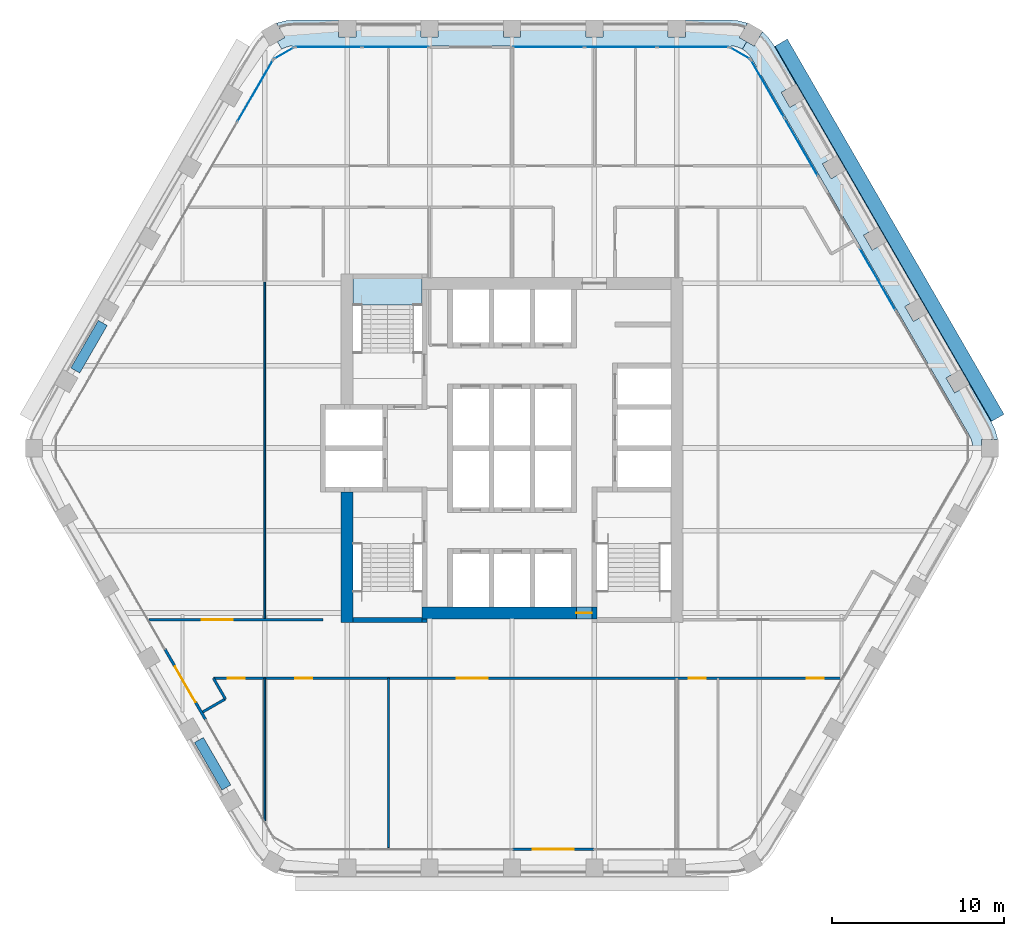
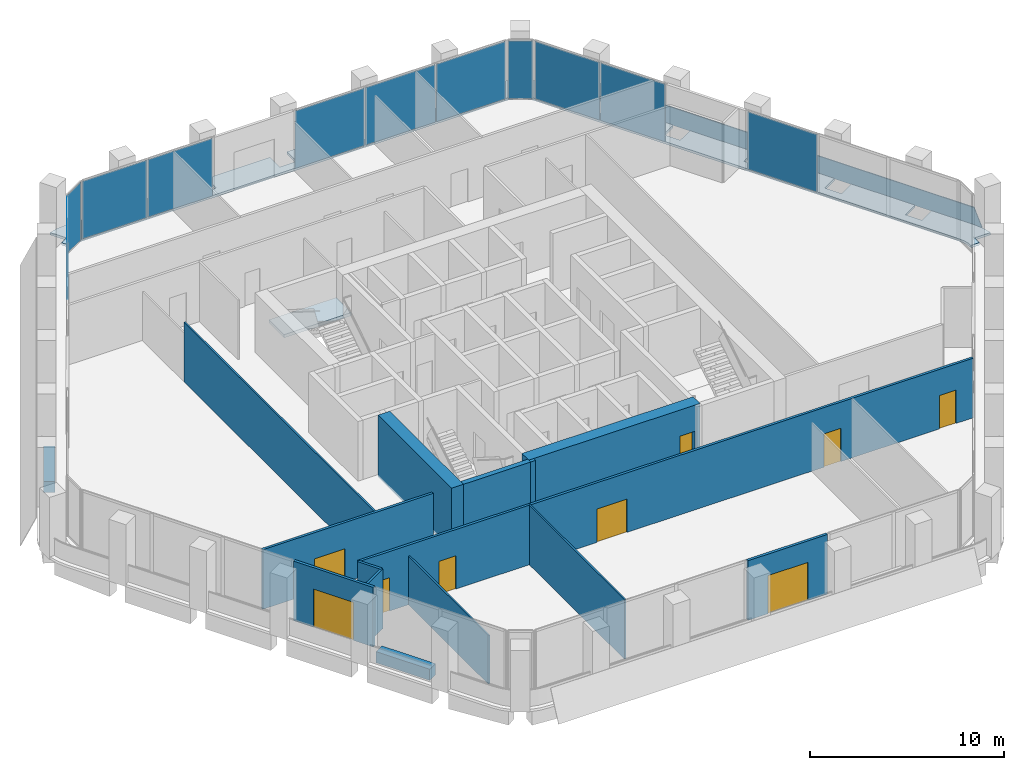
# One storey, part 8 of 15: 15 walls, 12 plates, 9 doors, 3 slabs, 9 openings, 8 elements without a shape of their own.
"""IFC4 building model written with IfcOpenShell, lengths in metres."""

from ifc_helpers import new_model, si_unit, direction, frame, frame_2d, origin, origin_2d, place, context, subcontext, project, spatial, polyline, rectangle, outline, extrude, material, layer, layer_set, type_object, element, fill, aggregate, save


model = new_model("IFC4")

# Units and contexts
model_context = context("Model", 3, precision=1e-05, world=origin(), true_north=direction((0.0, 1.0)))
body_context = subcontext(model_context, "Body", "Model", "MODEL_VIEW")
ifc_project = project(units=[si_unit("LENGTHUNIT", "METRE"), si_unit("AREAUNIT", "SQUARE_METRE"), si_unit("VOLUMEUNIT", "CUBIC_METRE"), si_unit("PLANEANGLEUNIT", "RADIAN"), si_unit("MASSUNIT", "GRAM", prefix="KILO")], contexts=[model_context])

# Site, building, storey
site_placement = place(None, origin())
site = spatial("IfcSite", under=ifc_project, at=site_placement, CompositionType="ELEMENT")
building_placement = place(site_placement, origin())
building = spatial("IfcBuilding", under=site, at=building_placement, Name="Kolab Exchange Tower", CompositionType="ELEMENT")
storey_placement = place(building_placement, frame((0.0, 0.0, 154.39990234375)))
storey = spatial("IfcBuildingStorey", under=building, at=storey_placement, Name="L31", CompositionType="ELEMENT", Elevation=154.39990234375)

# Slabs
ifc_material_1 = material(Name="Concrete C35/45", Category="concrete")
ifc_layer_1 = layer(ifc_material_1, 0.14990234375)
ifc_layer_set_1 = layer_set([ifc_layer_1], Name="Concrete C35/45")
slab_type_1 = type_object("IfcSlabType", Name="LOGGIA SLAB 150", PredefinedType="FLOOR", material=ifc_layer_set_1)
slab_1_placement = place(storey_placement, frame((0.0, 0.0, -0.14990234375)))
element("IfcSlab", 1, at=slab_1_placement, inside=storey, type_object=slab_type_1, Name="slab/L31/loggia/0-0", PredefinedType="FLOOR", context=body_context, shape_type="SweptSolid", body=[
    extrude(outline(polyline([(13.41796875, 23.240478515625), (13.66796875, 23.673583984375), (13.23486328125, 23.923583984375), (13.713134765625, 24.751708984375), (13.694091796875, 24.760498046875), (13.18896484375, 24.89599609375), (12.66796875, 24.941650390625), (10.10009765625, 24.941650390625), (10.10009765625, 23.941650390625), (9.10009765625, 23.941650390625), (9.10009765625, 24.941650390625), (5.300048828125, 24.941650390625), (5.300048828125, 23.941650390625), (4.300048828125, 23.941650390625), (4.300048828125, 24.941650390625), (0.5, 24.941650390625), (0.5, 23.941650390625), (-0.5, 23.941650390625), (-0.5, 24.941650390625), (-4.300048828125, 24.941650390625), (-4.300048828125, 23.941650390625), (-5.300048828125, 23.941650390625), (-5.300048828125, 24.941650390625), (-9.10009765625, 24.941650390625), (-9.10009765625, 23.941650390625), (-10.10009765625, 23.941650390625), (-10.10009765625, 24.941650390625), (-12.66796875, 24.941650390625), (-13.18896484375, 24.89599609375), (-13.694091796875, 24.760498046875), (-13.713134765625, 24.751708984375), (-13.23486328125, 23.923583984375), (-13.66796875, 23.673583984375), (-13.41796875, 23.240478515625), (-13.180908203125, 23.35107421875), (-12.928466796875, 23.418701171875), (-12.66796875, 23.441650390625), (12.66796875, 23.441650390625), (12.928466796875, 23.418701171875), (13.180908203125, 23.35107421875), (13.41796875, 23.240478515625)])), origin(), (0.0, 0.0, 1.0), 0.14990234375),
])
slab_2_placement = place(storey_placement, frame((0.0, 0.0, -0.14990234375)))
element("IfcSlab", 2, at=slab_2_placement, inside=storey, type_object=slab_type_1, Name="slab/L31/loggia/1-0", PredefinedType="FLOOR", context=body_context, shape_type="SweptSolid", body=[
    extrude(outline(polyline([(26.8359375, 0.0), (27.3359375, 0.0), (27.3359375, 0.5), (28.292236328125, 0.5), (28.290283203125, 0.52099609375), (28.155029296875, 1.026123046875), (27.93408203125, 1.5), (26.64990234375, 3.723876953125), (25.783935546875, 3.223876953125), (25.283935546875, 4.08984375), (26.14990234375, 4.58984375), (24.25, 7.880859375), (23.384033203125, 7.380859375), (22.884033203125, 8.246826171875), (23.75, 8.746826171875), (21.85009765625, 12.037841796875), (20.98388671875, 11.537841796875), (20.48388671875, 12.40380859375), (21.35009765625, 12.90380859375), (19.449951171875, 16.194580078125), (18.583984375, 15.694580078125), (18.083984375, 16.560791015625), (18.949951171875, 17.060791015625), (17.050048828125, 20.3515625), (16.18408203125, 19.8515625), (15.68408203125, 20.717529296875), (16.550048828125, 21.217529296875), (15.26611328125, 23.441650390625), (14.966064453125, 23.869873046875), (14.59619140625, 24.23974609375), (14.5791015625, 24.251708984375), (14.10107421875, 23.423583984375), (13.66796875, 23.673583984375), (13.41796875, 23.240478515625), (13.632080078125, 23.090576171875), (13.81689453125, 22.90576171875), (13.967041015625, 22.691650390625), (26.635009765625, 0.75), (26.745361328125, 0.512939453125), (26.81298828125, 0.260498046875), (26.8359375, 0.0)])), origin(), (0.0, 0.0, 1.0), 0.14990234375),
])

# Plate
ifc_material_2 = material(Name="Laminated glass, clear", Category="glass")
ifc_layer_2 = layer(ifc_material_2, 0.0400390625)
ifc_layer_set_2 = layer_set([ifc_layer_2], Name="Laminated glass, clear")
plate_type_1 = type_object("IfcPlateType", Name="OUTER SKIN LAMINATED GLASS SHEET 40", PredefinedType="SHEET", material=ifc_layer_set_2)
plate_1_placement = place(storey_placement, frame((16.040283203125, 23.830810546875, -0.68310546875), z_axis=(0.784898656704, 0.453161865271, 0.422585402693), x_axis=(0.499999968995, -0.866025421685, 9.26315e-07)))
element("IfcPlate", 3, at=plate_1_placement, inside=storey, type_object=plate_type_1, Name="Outer skin", PredefinedType="SHEET", context=body_context, shape_type="SweptSolid", body=[
    extrude(outline(polyline([(0.0, 0.0), (25.23592824607872, 0.0), (25.235843279343595, -1.9612922777250177), (0.00012646525258337368, -1.961343862676479), (0.0, 0.0)])), origin(), (0.0, 0.0, -1.0), 0.0400390625),
])

# Stair, slab
ifc_material_3 = material(Name="Concrete C50/60", Category="concrete")
stair_type = type_object("IfcStairType", Name="STAIR ST1 RISER 177.3", PredefinedType="HALF_TURN_STAIR", material=ifc_material_3)
stair_placement = place(storey_placement, origin())
stair = element("IfcStair", 4, at=stair_placement, inside=storey, type_object=stair_type, Name="Stair 1", PredefinedType="HALF_TURN_STAIR")
ifc_layer_3 = layer(ifc_material_3, 0.199951171875)
ifc_layer_set_3 = layer_set([ifc_layer_3], Name="Concrete C50/60")
slab_type_2 = type_object("IfcSlabType", Name="STAIR LANDING 200", PredefinedType="LANDING", material=ifc_layer_set_3)
slab_3_placement = place(storey_placement, frame((0.0, 0.0, 1.75)))
slab_3 = element("IfcSlab", 5, at=slab_3_placement, type_object=slab_type_2, Name="ST1 landing 2", PredefinedType="LANDING", context=body_context, shape_type="SweptSolid", body=[
    extrude(outline(polyline([(-9.25, 8.35009765625), (-5.25, 8.35009765625), (-5.25, 9.909912109375), (-9.25, 9.909912109375), (-9.25, 8.35009765625)])), origin(), (0.0, 0.0, 1.0), 0.2001953125),
])
aggregate(stair, [slab_3])

# Curtain wall, plates
ifc_material_4 = material(Name="Aluminium EN AW-6063 T6", Category="aluminium")
curtain_wall_type = type_object("IfcCurtainWallType", Name="UNITISED UPPER MID ZONE CURTAIN WALL", PredefinedType="NOTDEFINED", material=ifc_material_4)
curtain_wall_1_placement = place(storey_placement, origin())
curtain_wall_1 = element("IfcCurtainWall", 6, at=curtain_wall_1_placement, inside=storey, type_object=curtain_wall_type, Name="cw/L31/F1-1", PredefinedType="NOTDEFINED")
ifc_material_5 = material(Name="Clear insulated glazing unit", Category="glass")
ifc_layer_4 = layer(ifc_material_5, 0.028076171875)
ifc_layer_set_4 = layer_set([ifc_layer_4], Name="Clear insulated glazing unit")
plate_type_2 = type_object("IfcPlateType", Name="UNITISED UPPER MID ZONE GLASS PANEL 28", PredefinedType="CURTAIN_PANEL", material=ifc_layer_set_4)
plate_2_placement = place(storey_placement, frame((-10.68603515625, 23.361572265625, 0.06005859375), z_axis=(0.0, 0.0, 1.0), x_axis=(1.0, 0.0, 0.0)))
plate_2 = element("IfcPlate", 7, at=plate_2_placement, type_object=plate_type_2, Name="CW3 panel 1.1", PredefinedType="CURTAIN_PANEL", context=body_context, shape_type="SweptSolid", body=[
    extrude(rectangle(XDim=3.843994140625, YDim=0.028076171875, at=origin_2d()), origin(), (0.0, 0.0, 1.0), 3.6298828125),
])
plate_3_placement = place(storey_placement, frame((-6.781982421875, 23.361572265625, 0.06005859375), z_axis=(0.0, 0.0, 1.0), x_axis=(1.0, 0.0, 0.0)))
plate_3 = element("IfcPlate", 8, at=plate_3_placement, type_object=plate_type_2, Name="CW3 panel 2.1", PredefinedType="CURTAIN_PANEL", context=body_context, shape_type="SweptSolid", body=[
    extrude(rectangle(XDim=3.843994140625, YDim=0.028076171875, at=origin_2d()), origin(), (0.0, 0.0, 1.0), 3.6298828125),
])
aggregate(curtain_wall_1, [plate_2, plate_3])

curtain_wall_2_placement = place(storey_placement, origin())
curtain_wall_2 = element("IfcCurtainWall", 9, at=curtain_wall_2_placement, inside=storey, type_object=curtain_wall_type, Name="cw/L31/F1-2", PredefinedType="NOTDEFINED")
plate_4_placement = place(storey_placement, frame((2.126220703125, 23.361572265625, 0.06005859375), z_axis=(0.0, 0.0, 1.0), x_axis=(1.0, 0.0, 0.0)))
plate_4 = element("IfcPlate", 10, at=plate_4_placement, type_object=plate_type_2, Name="CW3 panel 1.1", PredefinedType="CURTAIN_PANEL", context=body_context, shape_type="SweptSolid", body=[
    extrude(rectangle(XDim=4.132568359375, YDim=0.028076171875, at=origin_2d()), origin(), (0.0, 0.0, 1.0), 3.6298828125),
])
plate_5_placement = place(storey_placement, frame((6.333984375, 23.361572265625, 0.06005859375), z_axis=(0.0, 0.0, 1.0), x_axis=(1.0, 0.0, 0.0)))
plate_5 = element("IfcPlate", 11, at=plate_5_placement, type_object=plate_type_2, Name="CW3 panel 2.1", PredefinedType="CURTAIN_PANEL", context=body_context, shape_type="SweptSolid", body=[
    extrude(rectangle(XDim=4.16259765625, YDim=0.028076171875, at=origin_2d()), origin(), (0.0, 0.0, 1.0), 3.6298828125),
])
plate_6_placement = place(storey_placement, frame((10.54150390625, 23.361572265625, 0.06005859375), z_axis=(0.0, 0.0, 1.0), x_axis=(1.0, 0.0, 0.0)))
plate_6 = element("IfcPlate", 12, at=plate_6_placement, type_object=plate_type_2, Name="CW3 panel 3.1", PredefinedType="CURTAIN_PANEL", context=body_context, shape_type="SweptSolid", body=[
    extrude(rectangle(XDim=4.132568359375, YDim=0.028076171875, at=origin_2d()), origin(), (0.0, 0.0, 1.0), 3.6298828125),
])
aggregate(curtain_wall_2, [plate_4, plate_5, plate_6])

curtain_wall_3_placement = place(storey_placement, origin())
curtain_wall_3 = element("IfcCurtainWall", 13, at=curtain_wall_3_placement, inside=storey, type_object=curtain_wall_type, Name="cw/L31/F2-1", PredefinedType="NOTDEFINED")
plate_7_placement = place(storey_placement, frame((14.888671875, 20.93505859375, 0.06005859375), z_axis=(0.0, 0.0, 1.0), x_axis=(0.500000031681, -0.866025385493, 0.0)))
plate_7 = element("IfcPlate", 14, at=plate_7_placement, type_object=plate_type_2, Name="CW3 panel 1.1", PredefinedType="CURTAIN_PANEL", context=body_context, shape_type="SweptSolid", body=[
    extrude(rectangle(XDim=3.843994140625, YDim=0.028076171875, at=origin_2d()), origin(), (0.0, 0.0, 1.0), 3.6298828125),
])
plate_8_placement = place(storey_placement, frame((16.840576171875, 17.55419921875, 0.06005859375), z_axis=(0.0, 0.0, 1.0), x_axis=(0.500000031681, -0.866025385493, 0.0)))
plate_8 = element("IfcPlate", 15, at=plate_8_placement, type_object=plate_type_2, Name="CW3 panel 2.1", PredefinedType="CURTAIN_PANEL", context=body_context, shape_type="SweptSolid", body=[
    extrude(rectangle(XDim=3.843994140625, YDim=0.028076171875, at=origin_2d()), origin(), (0.0, 0.0, 1.0), 3.6298828125),
])
aggregate(curtain_wall_3, [plate_7, plate_8])

# Curtain wall, plate
curtain_wall_4_placement = place(storey_placement, origin())
curtain_wall_4 = element("IfcCurtainWall", 16, at=curtain_wall_4_placement, inside=storey, type_object=curtain_wall_type, Name="cw/L31/F2-2", PredefinedType="NOTDEFINED")
plate_9_placement = place(storey_placement, frame((21.294921875, 9.83935546875, 0.06005859375), z_axis=(0.0, 0.0, 1.0), x_axis=(0.499999958358, -0.866025427826, 0.0)))
plate_9 = element("IfcPlate", 17, at=plate_9_placement, type_object=plate_type_2, Name="CW3 panel 1.1", PredefinedType="CURTAIN_PANEL", context=body_context, shape_type="SweptSolid", body=[
    extrude(rectangle(XDim=4.132568359375, YDim=0.028076171875, at=origin_2d()), origin(), (0.0, 0.0, 1.0), 3.6298828125),
])
aggregate(curtain_wall_4, [plate_9])

curtain_wall_5_placement = place(storey_placement, origin())
curtain_wall_5 = element("IfcCurtainWall", 18, at=curtain_wall_5_placement, inside=storey, type_object=curtain_wall_type, Name="cw/L31/F6-2", PredefinedType="NOTDEFINED")
plate_10_placement = place(storey_placement, frame((-14.9609375, 20.81005859375, 0.06005859375), z_axis=(0.0, 0.0, 1.0), x_axis=(0.500000017564, 0.866025393644, 0.0)))
plate_10 = element("IfcPlate", 19, at=plate_10_placement, type_object=plate_type_2, Name="CW3 panel 3.1", PredefinedType="CURTAIN_PANEL", context=body_context, shape_type="SweptSolid", body=[
    extrude(rectangle(XDim=4.132568359375, YDim=0.028076171875, at=origin_2d()), origin(), (0.0, 0.0, 1.0), 3.6298828125),
])
aggregate(curtain_wall_5, [plate_10])

curtain_wall_6_placement = place(storey_placement, origin())
curtain_wall_6 = element("IfcCurtainWall", 20, at=curtain_wall_6_placement, inside=storey, type_object=curtain_wall_type, Name="cw/L31/F1F2-corner", PredefinedType="NOTDEFINED")
plate_11_placement = place(storey_placement, frame((13.28271484375, 23.006591796875, 0.06005859375), z_axis=(0.0, 0.0, 1.0), x_axis=(0.866025390869, -0.50000002237, 0.0)))
plate_11 = element("IfcPlate", 21, at=plate_11_placement, type_object=plate_type_2, Name="CW3 panel 1.1", PredefinedType="CURTAIN_PANEL", context=body_context, shape_type="SweptSolid", body=[
    extrude(rectangle(XDim=1.300048828125, YDim=0.028076171875, at=origin_2d()), origin(), (0.0, 0.0, 1.0), 3.6298828125),
])
aggregate(curtain_wall_6, [plate_11])

curtain_wall_7_placement = place(storey_placement, origin())
curtain_wall_7 = element("IfcCurtainWall", 22, at=curtain_wall_7_placement, inside=storey, type_object=curtain_wall_type, Name="cw/L31/F6F1-corner", PredefinedType="NOTDEFINED")
plate_12_placement = place(storey_placement, frame((-13.28271484375, 23.006591796875, 0.06005859375), z_axis=(0.0, 0.0, 1.0), x_axis=(0.866025390869, 0.50000002237, 0.0)))
plate_12 = element("IfcPlate", 23, at=plate_12_placement, type_object=plate_type_2, Name="CW3 panel 1.1", PredefinedType="CURTAIN_PANEL", context=body_context, shape_type="SweptSolid", body=[
    extrude(rectangle(XDim=1.300048828125, YDim=0.028076171875, at=origin_2d()), origin(), (0.0, 0.0, 1.0), 3.6298828125),
])
aggregate(curtain_wall_7, [plate_12])

# Wall, opening, door
ifc_material_6 = material(Name="Concrete C60/75", Category="concrete")
ifc_layer_5 = layer(ifc_material_6, 0.699951171875)
ifc_layer_set_5 = layer_set([ifc_layer_5], Name="Concrete C60/75")
wall_type_1 = type_object("IfcWallType", Name="CORE WALL 700 C60/75", PredefinedType="SHEAR", material=ifc_layer_set_5)
wall_1_placement = place(storey_placement, frame((-5.25, -9.60009765625, -0.14990234375), z_axis=(0.0, 0.0, 1.0), x_axis=(1.0, 0.0, 0.0)))
wall_1 = element("IfcWall", 24, at=wall_1_placement, inside=storey, type_object=wall_type_1, Name="wall/L31/core/002", PredefinedType="SHEAR", context=body_context, shape_type="SweptSolid", body=[
    extrude(rectangle(XDim=10.199951171875, YDim=0.699951171875, at=frame_2d((5.10009765625, 0.0))), origin(), (0.0, 0.0, 1.0), 3.89990234375),
])
opening_1_placement = place(wall_1_placement, frame((9.0, 0.0, 0.14990234375)))
opening_1 = element("IfcOpeningElement", 25, at=opening_1_placement, cuts=wall_1, Name="Opening D6-287", PredefinedType="OPENING", context=body_context, shape_type="SweptSolid", body=[
    extrude(rectangle(XDim=0.89990234375, YDim=2.10009765625, at=frame_2d((0.449951171875, 1.050048828125))), frame((0.0, 0.35986328125, 0.0), z_axis=(0.0, -1.0, 0.0), x_axis=(1.0, 0.0, 0.0)), (0.0, 0.0, 1.0), 0.719970703125),
])
ifc_material_7 = material(Name="Steel S235", Category="steel")
door_type_1 = type_object("IfcDoorType", Name="CORE DOOR 900 EI 120", OperationType="SINGLE_SWING_LEFT", PredefinedType="DOOR", material=ifc_material_7)
door_1_placement = place(opening_1_placement, origin())
door_1 = element("IfcDoor", 26, at=door_1_placement, inside=storey, type_object=door_type_1, Name="Core lobby door", OperationType="SINGLE_SWING_LEFT", OverallHeight=2.10009765625, OverallWidth=0.89990234375, PredefinedType="DOOR", context=body_context, shape_type="SweptSolid", body=[
    extrude(rectangle(XDim=0.89990234375, YDim=2.10009765625, at=frame_2d((0.449951171875, 1.050048828125))), frame((0.0, 0.02490234375, 0.0), z_axis=(0.0, -1.0, 0.0), x_axis=(1.0, 0.0, 0.0)), (0.0, 0.0, 1.0), 0.050048828125),
])
fill(opening_1, door_1)

# Wall
wall_2_placement = place(storey_placement, frame((-9.60009765625, -10.14990234375, -0.14990234375), z_axis=(0.0, 0.0, 1.0), x_axis=(0.0, 1.0, 0.0)))
element("IfcWall", 27, at=wall_2_placement, inside=storey, type_object=wall_type_1, Name="wall/L31/core/034", PredefinedType="SHEAR", context=body_context, shape_type="SweptSolid", body=[
    extrude(rectangle(XDim=7.599853515625, YDim=0.699951171875, at=frame_2d((3.7998046875, 0.0))), origin(), (0.0, 0.0, 1.0), 3.89990234375),
])

# Wall, opening, door
ifc_layer_6 = layer(ifc_material_4, 0.159912109375)
ifc_layer_set_6 = layer_set([ifc_layer_6], Name="Aluminium EN AW-6063 T6")
wall_type_2 = type_object("IfcWallType", Name="DOOR SURROUND WALL 160 ALUMINIUM FRAMED", PredefinedType="PARTITIONING", material=ifc_layer_set_6)
wall_3_placement = place(storey_placement, frame((4.77001953125, -23.361572265625, 0.0), z_axis=(0.0, 0.0, 1.0), x_axis=(-1.0, 0.0, 0.0)))
wall_3 = element("IfcWall", 28, at=wall_3_placement, inside=storey, type_object=wall_type_2, Name="Door surround wall", PredefinedType="PARTITIONING", context=body_context, shape_type="SweptSolid", body=[
    extrude(rectangle(XDim=4.739990234375, YDim=0.159912109375, at=frame_2d((2.3701171875, 0.0))), origin(), (0.0, 0.0, 1.0), 3.75),
])
opening_2_placement = place(wall_3_placement, frame((1.169921875, 0.0, 0.0)))
opening_2 = element("IfcOpeningElement", 29, at=opening_2_placement, cuts=wall_3, Name="Opening GD1-067", PredefinedType="OPENING", context=body_context, shape_type="SweptSolid", body=[
    extrude(rectangle(XDim=2.39990234375, YDim=2.39990234375, at=frame_2d((1.199951171875, 1.199951171875))), frame((0.0, 0.08984375, 0.0), z_axis=(0.0, -1.0, 0.0), x_axis=(1.0, 0.0, 0.0)), (0.0, 0.0, 1.0), 0.179931640625),
])
door_type_2 = type_object("IfcDoorType", Name="LOGGIA SLIDING GLASS DOOR 2400 X 2400", OperationType="DOUBLE_DOOR_SINGLE_SWING", PredefinedType="DOOR", material=ifc_material_4)
door_2_placement = place(opening_2_placement, origin())
door_2 = element("IfcDoor", 30, at=door_2_placement, inside=storey, type_object=door_type_2, Name="Loggia door", OperationType="DOUBLE_DOOR_SLIDING", OverallHeight=2.39990234375, OverallWidth=2.39990234375, PredefinedType="DOOR", context=body_context, shape_type="SweptSolid", body=[
    extrude(rectangle(XDim=2.39990234375, YDim=2.39990234375, at=frame_2d((1.199951171875, 1.199951171875))), frame((0.0, 0.02490234375, 0.0), z_axis=(0.0, -1.0, 0.0), x_axis=(1.0, 0.0, 0.0)), (0.0, 0.0, 1.0), 0.050048828125),
])
fill(opening_2, door_2)

wall_4_placement = place(storey_placement, frame((-17.8466796875, -15.811767578125, 0.0), z_axis=(0.0, 0.0, 1.0), x_axis=(-0.5000167099, 0.866015756104, 0.0)))
wall_4 = element("IfcWall", 31, at=wall_4_placement, inside=storey, type_object=wall_type_2, Name="Door surround wall", PredefinedType="PARTITIONING", context=body_context, shape_type="SweptSolid", body=[
    extrude(rectangle(XDim=4.739990234375, YDim=0.159912109375, at=frame_2d((2.3701171875, 0.0))), origin(), (0.0, 0.0, 1.0), 3.75),
])
opening_3_placement = place(wall_4_placement, frame((1.169921875, 0.0, 0.0)))
opening_3 = element("IfcOpeningElement", 32, at=opening_3_placement, cuts=wall_4, Name="Opening GD1-068", PredefinedType="OPENING", context=body_context, shape_type="SweptSolid", body=[
    extrude(rectangle(XDim=2.39990234375, YDim=2.39990234375, at=frame_2d((1.199951171875, 1.199951171875))), frame((0.0, 0.08984375, 0.0), z_axis=(0.0, -1.0, 0.0), x_axis=(1.0, 0.0, 0.0)), (0.0, 0.0, 1.0), 0.179931640625),
])
door_3_placement = place(opening_3_placement, origin())
door_3 = element("IfcDoor", 33, at=door_3_placement, inside=storey, type_object=door_type_2, Name="Loggia door", OperationType="DOUBLE_DOOR_SLIDING", OverallHeight=2.39990234375, OverallWidth=2.39990234375, PredefinedType="DOOR", context=body_context, shape_type="SweptSolid", body=[
    extrude(rectangle(XDim=2.39990234375, YDim=2.39990234375, at=frame_2d((1.199951171875, 1.199951171875))), frame((0.0, 0.02490234375, 0.0), z_axis=(0.0, -1.0, 0.0), x_axis=(1.0, 0.0, 0.0)), (0.0, 0.0, 1.0), 0.050048828125),
])
fill(opening_3, door_3)

# Walls
ifc_material_8 = material(Name="Gypsum board", Category="gypsum")
ifc_layer_7 = layer(ifc_material_8, 0.10009765625)
ifc_layer_set_7 = layer_set([ifc_layer_7], Name="Gypsum board")
wall_type_3 = type_object("IfcWallType", Name="PARTITION 100", PredefinedType="PARTITIONING", material=ifc_layer_set_7)
wall_5_placement = place(storey_placement, frame((-7.199951171875, -23.271484375, 0.0), z_axis=(0.0, 0.0, 1.0), x_axis=(0.0, 1.0, 0.0)))
element("IfcWall", 34, at=wall_5_placement, inside=storey, type_object=wall_type_3, Name="Partition 012", PredefinedType="PARTITIONING", context=body_context, shape_type="SweptSolid", body=[
    extrude(rectangle(XDim=9.87158203125, YDim=0.10009765625, at=frame_2d((4.935791015625, 0.0))), origin(), (0.0, 0.0, 1.0), 3.75),
])
wall_6_placement = place(storey_placement, frame((-14.39990234375, -21.701416015625, 0.0), z_axis=(0.0, 0.0, 1.0), x_axis=(0.0, 1.0, 0.0)))
element("IfcWall", 35, at=wall_6_placement, inside=storey, type_object=wall_type_3, Name="Partition 015", PredefinedType="PARTITIONING", context=body_context, shape_type="SweptSolid", body=[
    extrude(rectangle(XDim=8.301513671875, YDim=0.10009765625, at=frame_2d((4.15087890625, 0.0))), origin(), (0.0, 0.0, 1.0), 3.066162109375),
])
wall_7_placement = place(storey_placement, frame((-14.39990234375, -10.0, 0.0), z_axis=(0.0, 0.0, 1.0), x_axis=(0.0, 1.0, 0.0)))
element("IfcWall", 36, at=wall_7_placement, inside=storey, type_object=wall_type_3, Name="Partition 016", PredefinedType="PARTITIONING", context=body_context, shape_type="SweptSolid", body=[
    extrude(rectangle(XDim=19.693603515625, YDim=0.10009765625, at=frame_2d((9.8466796875, 0.0))), origin(), (0.0, 0.0, 1.0), 3.75),
])
ifc_layer_8 = layer(ifc_material_8, 0.14990234375)
ifc_layer_set_8 = layer_set([ifc_layer_8], Name="Gypsum board")
wall_type_4 = type_object("IfcWallType", Name="PARTITION 150 FIRE-RATED", PredefinedType="PARTITIONING", material=ifc_layer_set_8)
wall_8_placement = place(storey_placement, frame((-17.3916015625, -13.39990234375, 0.0), z_axis=(0.0, 0.0, 1.0), x_axis=(0.4999705729, -0.866042392862, 0.0)))
element("IfcWall", 37, at=wall_8_placement, inside=storey, type_object=wall_type_4, Name="Partition 017", PredefinedType="PARTITIONING", context=body_context, shape_type="SweptSolid", body=[
    extrude(rectangle(XDim=1.39111328125, YDim=0.14990234375, at=frame_2d((0.695556640625, 0.0))), origin(), (0.0, 0.0, 1.0), 3.75),
])
wall_9_placement = place(storey_placement, frame((-18.012451171875, -15.36474609375, 0.0), z_axis=(0.0, 0.0, 1.0), x_axis=(0.866030456496, 0.499991248344, 0.0)))
element("IfcWall", 38, at=wall_9_placement, inside=storey, type_object=wall_type_4, Name="Partition 021", PredefinedType="PARTITIONING", context=body_context, shape_type="SweptSolid", body=[
    extrude(rectangle(XDim=1.52001953125, YDim=0.14990234375, at=frame_2d((0.760009765625, 0.0))), origin(), (0.0, 0.0, 1.0), 3.75),
])

# Wall, openings, doors
wall_10_placement = place(storey_placement, frame((-17.3916015625, -13.39990234375, 0.0), z_axis=(0.0, 0.0, 1.0), x_axis=(1.0, 0.0, 0.0)))
wall_10 = element("IfcWall", 39, at=wall_10_placement, inside=storey, type_object=wall_type_4, Name="Partition 023", PredefinedType="PARTITIONING", context=body_context, shape_type="SweptSolid", body=[
    extrude(rectangle(XDim=36.58447265625, YDim=0.14990234375, at=frame_2d((18.292236328125, 0.0))), origin(), (0.0, 0.0, 1.0), 3.75),
])
opening_4_placement = place(wall_10_placement, frame((0.83203125, 0.0, 0.0)))
opening_4 = element("IfcOpeningElement", 40, at=opening_4_placement, cuts=wall_10, Name="Opening D1-453", PredefinedType="OPENING", context=body_context, shape_type="SweptSolid", body=[
    extrude(rectangle(XDim=1.0, YDim=2.10009765625, at=frame_2d((0.5, 1.050048828125))), frame((0.0, 0.0849609375, 0.0), z_axis=(0.0, -1.0, 0.0), x_axis=(1.0, 0.0, 0.0)), (0.0, 0.0, 1.0), 0.169921875),
])
opening_5_placement = place(wall_10_placement, frame((4.7666015625, 0.0, 0.0)))
opening_5 = element("IfcOpeningElement", 41, at=opening_5_placement, cuts=wall_10, Name="Opening D1-454", PredefinedType="OPENING", context=body_context, shape_type="SweptSolid", body=[
    extrude(rectangle(XDim=1.0, YDim=2.10009765625, at=frame_2d((0.5, 1.050048828125))), frame((0.0, 0.0849609375, 0.0), z_axis=(0.0, -1.0, 0.0), x_axis=(1.0, 0.0, 0.0)), (0.0, 0.0, 1.0), 0.169921875),
])
opening_6_placement = place(wall_10_placement, frame((14.16650390625, 0.0, 0.0)))
opening_6 = element("IfcOpeningElement", 42, at=opening_6_placement, cuts=wall_10, Name="Opening D2-045", PredefinedType="OPENING", context=body_context, shape_type="SweptSolid", body=[
    extrude(rectangle(XDim=1.800048828125, YDim=2.10009765625, at=frame_2d((0.89990234375, 1.050048828125))), frame((0.0, 0.0849609375, 0.0), z_axis=(0.0, -1.0, 0.0), x_axis=(1.0, 0.0, 0.0)), (0.0, 0.0, 1.0), 0.169921875),
])
opening_7_placement = place(wall_10_placement, frame((27.691650390625, 0.0, 0.0)))
opening_7 = element("IfcOpeningElement", 43, at=opening_7_placement, cuts=wall_10, Name="Opening D1-455", PredefinedType="OPENING", context=body_context, shape_type="SweptSolid", body=[
    extrude(rectangle(XDim=1.0, YDim=2.10009765625, at=frame_2d((0.5, 1.050048828125))), frame((0.0, 0.0849609375, 0.0), z_axis=(0.0, -1.0, 0.0), x_axis=(1.0, 0.0, 0.0)), (0.0, 0.0, 1.0), 0.169921875),
])
opening_8_placement = place(wall_10_placement, frame((34.563232421875, 0.0, 0.0)))
opening_8 = element("IfcOpeningElement", 44, at=opening_8_placement, cuts=wall_10, Name="Opening D1-456", PredefinedType="OPENING", context=body_context, shape_type="SweptSolid", body=[
    extrude(rectangle(XDim=1.0, YDim=2.10009765625, at=frame_2d((0.5, 1.050048828125))), frame((0.0, 0.0849609375, 0.0), z_axis=(0.0, -1.0, 0.0), x_axis=(1.0, 0.0, 0.0)), (0.0, 0.0, 1.0), 0.169921875),
])
door_type_3 = type_object("IfcDoorType", Name="DOUBLE DOOR 1800 FD60", OperationType="DOUBLE_DOOR_SINGLE_SWING", PredefinedType="DOOR", material=ifc_material_7)
door_4_placement = place(opening_6_placement, frame((1.800048828125, 0.0, 0.0), z_axis=(0.0, 0.0, 1.0), x_axis=(-1.0, 0.0, 0.0)))
door_4 = element("IfcDoor", 45, at=door_4_placement, inside=storey, type_object=door_type_3, Name="Door L31-040", OperationType="SINGLE_SWING_LEFT", OverallHeight=2.10009765625, OverallWidth=1.800048828125, PredefinedType="DOOR", context=body_context, shape_type="SweptSolid", body=[
    extrude(rectangle(XDim=1.800048828125, YDim=2.10009765625, at=frame_2d((0.89990234375, 1.050048828125))), frame((0.0, 0.02490234375, 0.0), z_axis=(0.0, -1.0, 0.0), x_axis=(1.0, 0.0, 0.0)), (0.0, 0.0, 1.0), 0.050048828125),
])
fill(opening_6, door_4)
door_type_4 = type_object("IfcDoorType", Name="FLUSH DOOR 1000 FD60", OperationType="SINGLE_SWING_LEFT", PredefinedType="DOOR", material=ifc_material_7)
door_5_placement = place(opening_4_placement, frame((1.0, 0.0, 0.0), z_axis=(0.0, 0.0, 1.0), x_axis=(-1.0, 0.0, 0.0)))
door_5 = element("IfcDoor", 46, at=door_5_placement, inside=storey, type_object=door_type_4, Name="Door L31-038", OperationType="SINGLE_SWING_LEFT", OverallHeight=2.10009765625, OverallWidth=1.0, PredefinedType="DOOR", context=body_context, shape_type="SweptSolid", body=[
    extrude(rectangle(XDim=1.0, YDim=2.10009765625, at=frame_2d((0.5, 1.050048828125))), frame((0.0, 0.02490234375, 0.0), z_axis=(0.0, -1.0, 0.0), x_axis=(1.0, 0.0, 0.0)), (0.0, 0.0, 1.0), 0.050048828125),
])
fill(opening_4, door_5)
door_6_placement = place(opening_5_placement, frame((1.0, 0.0, 0.0), z_axis=(0.0, 0.0, 1.0), x_axis=(-1.0, 0.0, 0.0)))
door_6 = element("IfcDoor", 47, at=door_6_placement, inside=storey, type_object=door_type_4, Name="Door L31-039", OperationType="SINGLE_SWING_LEFT", OverallHeight=2.10009765625, OverallWidth=1.0, PredefinedType="DOOR", context=body_context, shape_type="SweptSolid", body=[
    extrude(rectangle(XDim=1.0, YDim=2.10009765625, at=frame_2d((0.5, 1.050048828125))), frame((0.0, 0.02490234375, 0.0), z_axis=(0.0, -1.0, 0.0), x_axis=(1.0, 0.0, 0.0)), (0.0, 0.0, 1.0), 0.050048828125),
])
fill(opening_5, door_6)
door_7_placement = place(opening_7_placement, frame((1.0, 0.0, 0.0), z_axis=(0.0, 0.0, 1.0), x_axis=(-1.0, 0.0, 0.0)))
door_7 = element("IfcDoor", 48, at=door_7_placement, inside=storey, type_object=door_type_4, Name="Door L31-041", OperationType="SINGLE_SWING_RIGHT", OverallHeight=2.10009765625, OverallWidth=1.0, PredefinedType="DOOR", context=body_context, shape_type="SweptSolid", body=[
    extrude(rectangle(XDim=1.0, YDim=2.10009765625, at=frame_2d((0.5, 1.050048828125))), frame((0.0, 0.02490234375, 0.0), z_axis=(0.0, -1.0, 0.0), x_axis=(1.0, 0.0, 0.0)), (0.0, 0.0, 1.0), 0.050048828125),
])
fill(opening_7, door_7)
door_8_placement = place(opening_8_placement, frame((1.0, 0.0, 0.0), z_axis=(0.0, 0.0, 1.0), x_axis=(-1.0, 0.0, 0.0)))
door_8 = element("IfcDoor", 49, at=door_8_placement, inside=storey, type_object=door_type_4, Name="Door L31-042", OperationType="SINGLE_SWING_RIGHT", OverallHeight=2.10009765625, OverallWidth=1.0, PredefinedType="DOOR", context=body_context, shape_type="SweptSolid", body=[
    extrude(rectangle(XDim=1.0, YDim=2.10009765625, at=frame_2d((0.5, 1.050048828125))), frame((0.0, 0.02490234375, 0.0), z_axis=(0.0, -1.0, 0.0), x_axis=(1.0, 0.0, 0.0)), (0.0, 0.0, 1.0), 0.050048828125),
])
fill(opening_8, door_8)

# Wall, opening, door
wall_11_placement = place(storey_placement, frame((-21.156005859375, -10.0, 0.0), z_axis=(0.0, 0.0, 1.0), x_axis=(1.0, 0.0, 0.0)))
wall_11 = element("IfcWall", 50, at=wall_11_placement, inside=storey, type_object=wall_type_4, Name="Partition 024", PredefinedType="PARTITIONING", context=body_context, shape_type="SweptSolid", body=[
    extrude(rectangle(XDim=10.156005859375, YDim=0.14990234375, at=frame_2d((5.078125, 0.0))), origin(), (0.0, 0.0, 1.0), 3.75),
])
opening_9_placement = place(wall_11_placement, frame((3.082763671875, 0.0, 0.0)))
opening_9 = element("IfcOpeningElement", 51, at=opening_9_placement, cuts=wall_11, Name="Opening D2-047", PredefinedType="OPENING", context=body_context, shape_type="SweptSolid", body=[
    extrude(rectangle(XDim=1.800048828125, YDim=2.10009765625, at=frame_2d((0.89990234375, 1.050048828125))), frame((0.0, 0.0849609375, 0.0), z_axis=(0.0, -1.0, 0.0), x_axis=(1.0, 0.0, 0.0)), (0.0, 0.0, 1.0), 0.169921875),
])
door_9_placement = place(opening_9_placement, origin())
door_9 = element("IfcDoor", 52, at=door_9_placement, inside=storey, type_object=door_type_3, Name="Door L31-045", OperationType="SINGLE_SWING_RIGHT", OverallHeight=2.10009765625, OverallWidth=1.800048828125, PredefinedType="DOOR", context=body_context, shape_type="SweptSolid", body=[
    extrude(rectangle(XDim=1.800048828125, YDim=2.10009765625, at=frame_2d((0.89990234375, 1.050048828125))), frame((0.0, 0.02490234375, 0.0), z_axis=(0.0, -1.0, 0.0), x_axis=(1.0, 0.0, 0.0)), (0.0, 0.0, 1.0), 0.050048828125),
])
fill(opening_9, door_9)

# Walls
ifc_material_9 = material(Name="Granite facing", Category="masonry")
ifc_layer_9 = layer(ifc_material_9, 0.0400390625)
ifc_material_10 = material(Name="Concrete C40/50 precast", Category="concrete")
ifc_layer_10 = layer(ifc_material_10, 0.56005859375)
ifc_layer_set_9 = layer_set([ifc_layer_9, ifc_layer_10], Name="Concrete C40/50 precast")
wall_type_5 = type_object("IfcWallType", Name="PLANTER BOX 600 X 700 SOIL DEPTH 550", PredefinedType="USERDEFINED", material=ifc_layer_set_9)
wall_12_placement = place(storey_placement, frame((-16.636962890625, -19.766845703125, 0.0), z_axis=(0.0, 0.0, 1.0), x_axis=(-0.500028443584, 0.866008981251, 0.0)))
element("IfcWall", 53, at=wall_12_placement, inside=storey, type_object=wall_type_5, Name="Planter", ObjectType="PLANTER", PredefinedType="USERDEFINED", context=body_context, shape_type="SweptSolid", body=[
    extrude(rectangle(XDim=3.199951171875, YDim=0.60009765625, at=frame_2d((1.60009765625, 0.0))), origin(), (0.0, 0.0, 1.0), 0.7001953125),
])
wall_13_placement = place(storey_placement, frame((-25.43701171875, 4.524658203125, 0.0), z_axis=(0.0, 0.0, 1.0), x_axis=(0.499938187974, 0.866061088033, 0.0)))
element("IfcWall", 54, at=wall_13_placement, inside=storey, type_object=wall_type_5, Name="Planter", ObjectType="PLANTER", PredefinedType="USERDEFINED", context=body_context, shape_type="SweptSolid", body=[
    extrude(rectangle(XDim=3.2001953125, YDim=0.60009765625, at=frame_2d((1.60009765625, 0.0))), origin(), (0.0, 0.0, 1.0), 0.7001953125),
])
ifc_layer_11 = layer(ifc_material_3, 0.300048828125)
ifc_layer_set_10 = layer_set([ifc_layer_11], Name="Concrete C50/60")
wall_type_6 = type_object("IfcWallType", Name="STAIR ENCLOSURE WALL 300 C50/60", PredefinedType="STANDARD", material=ifc_layer_set_10)
wall_14_placement = place(storey_placement, frame((-9.25, -10.0, -0.14990234375), z_axis=(0.0, 0.0, 1.0), x_axis=(1.0, 0.0, 0.0)))
element("IfcWall", 55, at=wall_14_placement, inside=storey, type_object=wall_type_6, Name="wall/L31/core/000", PredefinedType="STANDARD", context=body_context, shape_type="SweptSolid", body=[
    extrude(rectangle(XDim=4.0, YDim=0.300048828125, at=frame_2d((2.0, 0.0))), origin(), (0.0, 0.0, 1.0), 3.89990234375),
])
wall_15_placement = place(storey_placement, frame((-5.10009765625, -10.14990234375, -0.14990234375), z_axis=(0.0, 0.0, 1.0), x_axis=(0.0, 1.0, 0.0)))
element("IfcWall", 56, at=wall_15_placement, inside=storey, type_object=wall_type_6, Name="wall/L31/core/039", PredefinedType="STANDARD", context=body_context, shape_type="SweptSolid", body=[
    extrude(rectangle(XDim=0.199951171875, YDim=0.300048828125, at=frame_2d((0.10009765625, 0.0))), origin(), (0.0, 0.0, 1.0), 3.89990234375),
])

save(model, "model.ifc")
